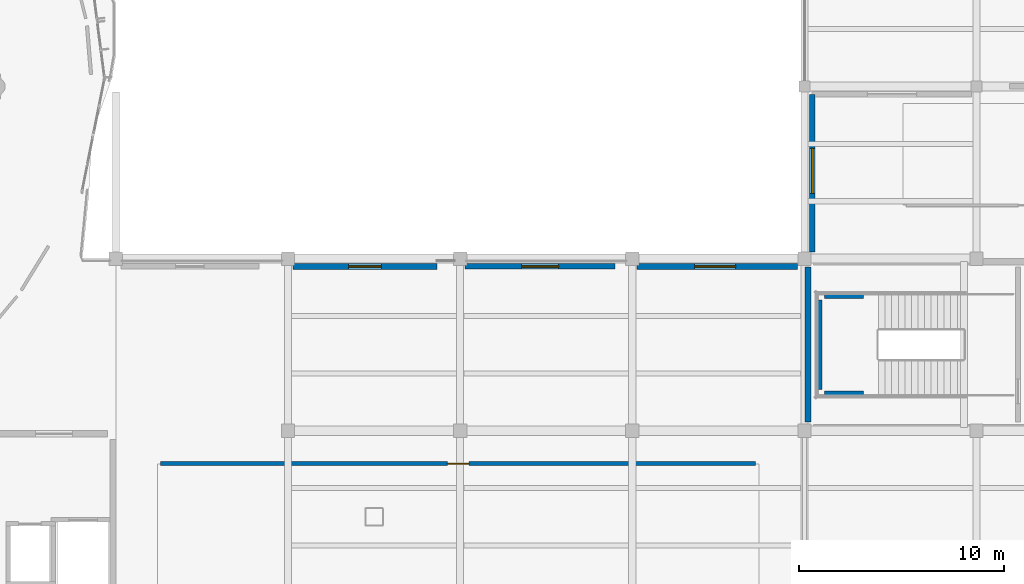
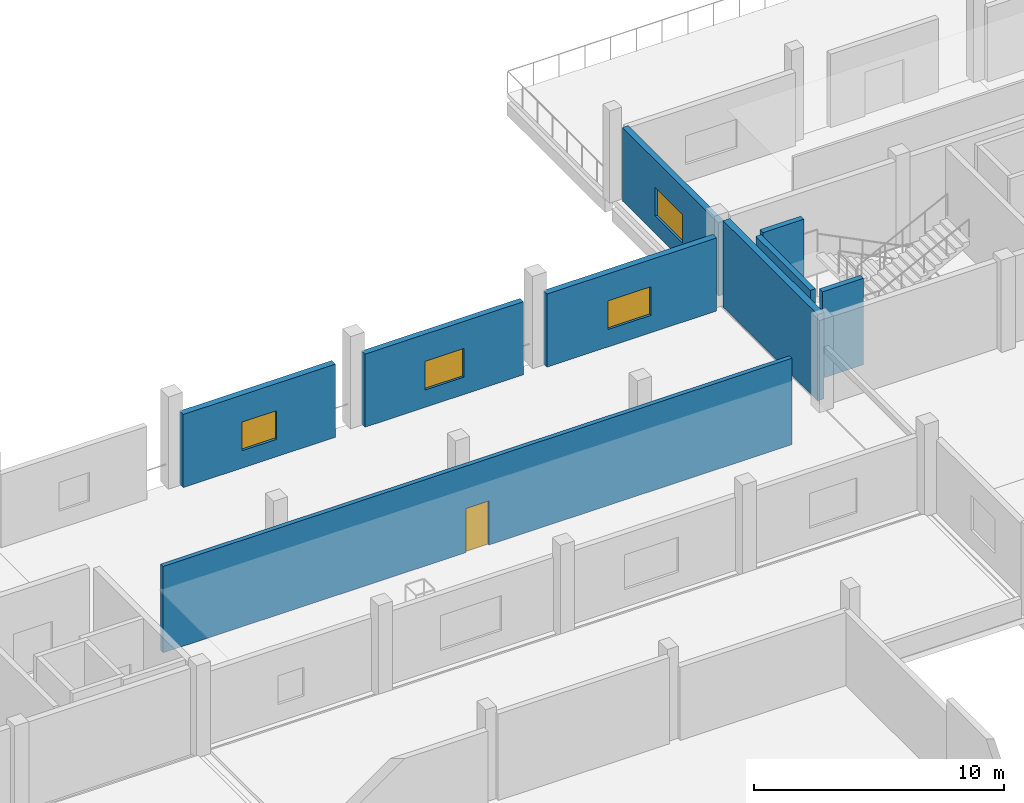
# One storey, part 29 of 46: 9 walls, 4 windows, 1 door, 5 openings.
"""IFC4 building model written with IfcOpenShell, lengths in metres."""

from ifc_helpers import new_model, si_unit, derived_unit, direction, frame, frame_2d, origin, place, context, subcontext, project, spatial, rectangle, extrude, material, layer, layer_set, type_object, element, fill, save


model = new_model("IFC4")

# Units and contexts
model_context = context("Model", 3, precision=1e-05, world=origin(), true_north=direction((0.0, 1.0)))
body_context = subcontext(model_context, "Body", "Model", "MODEL_VIEW")
ifc_project = project(units=[si_unit("LENGTHUNIT", "METRE"), si_unit("AREAUNIT", "SQUARE_METRE"), si_unit("VOLUMEUNIT", "CUBIC_METRE"), si_unit("PLANEANGLEUNIT", "RADIAN"), si_unit("MASSUNIT", "GRAM", prefix="KILO"), derived_unit("THERMALTRANSMITTANCEUNIT", [(si_unit("POWERUNIT", "WATT"), 1), (si_unit("LENGTHUNIT", "METRE"), -2), (si_unit("THERMODYNAMICTEMPERATUREUNIT", "KELVIN"), -1)])], contexts=[model_context])

# Site, building, storey
site_placement = place(None, origin())
site = spatial("IfcSite", under=ifc_project, at=site_placement, CompositionType="ELEMENT")
building_placement = place(site_placement, origin())
building = spatial("IfcBuilding", under=site, at=building_placement, Name="Elbkamm Science Centre", CompositionType="ELEMENT")
storey_placement = place(building_placement, frame((0.0, 0.0, 9.89990234375)))
storey = spatial("IfcBuildingStorey", under=building, at=storey_placement, Name="L02", CompositionType="ELEMENT", Elevation=9.89990234375)

# Walls
ifc_material_1 = material(Name="Reinforced concrete C40/50", Category="concrete")
ifc_layer_1 = layer(ifc_material_1, 0.25)
ifc_layer_set_1 = layer_set([ifc_layer_1], Name="Reinforced concrete C40/50")
wall_type_1 = type_object("IfcWallType", Name="WL-CORE-250", PredefinedType="SHEAR", material=ifc_layer_set_1)
wall_1_placement = place(storey_placement, frame((126.739990234375, 52.419921875, 0.0), z_axis=(0.0, 0.0, 1.0), x_axis=(0.0, 1.0, 0.0)))
element("IfcWall", 1, at=wall_1_placement, inside=storey, type_object=wall_type_1, Name="L02 ST-C3 Shaft Bearing Wall W", PredefinedType="SHEAR", context=body_context, shape_type="SweptSolid", body=[
    extrude(rectangle(XDim=4.360107421875, YDim=0.25, at=frame_2d((2.18017578125, 0.0))), origin(), (0.0, 0.0, 1.0), 4.22021484375),
])
for number, where, z_axis, x_axis, name in (
    (2, (126.989990234375, 52.219970703125, 0.0), (0.0, 0.0, 1.0), (1.0, 0.0, 0.0), "L02 ST-C3 Shaft Bearing Wall S"),
    (3, (126.989990234375, 56.97998046875, 0.0), (0.0, 0.0, 1.0), (1.0, 0.0, 0.0), "L02 ST-C3 Shaft Bearing Wall N"),
):
    element("IfcWall", number, at=place(storey_placement, frame(where, z_axis=z_axis, x_axis=x_axis)), inside=storey, type_object=wall_type_1, Name=name, PredefinedType="SHEAR", context=body_context, shape_type="SweptSolid", body=[
        extrude(rectangle(XDim=1.889892578125, YDim=0.25, at=frame_2d((0.94482421875, 0.0))), origin(), (0.0, 0.0, 1.0), 4.22021484375),
    ])
ifc_layer_2 = layer(ifc_material_1, 0.300048828125)
ifc_layer_set_2 = layer_set([ifc_layer_2], Name="Reinforced concrete C40/50")
wall_type_2 = type_object("IfcWallType", Name="WL-CORE-300", PredefinedType="SHEAR", material=ifc_layer_set_2)
wall_2_placement = place(storey_placement, frame((126.179931640625, 50.820068359375, 0.0), z_axis=(0.0, 0.0, 1.0), x_axis=(0.0, 1.0, 0.0)))
element("IfcWall", 4, at=wall_2_placement, inside=storey, type_object=wall_type_2, Name="L02 Core C3 Northeast Laboratories and Observatory Core Shear Wall W", PredefinedType="SHEAR", context=body_context, shape_type="SweptSolid", body=[
    extrude(rectangle(XDim=7.559814453125, YDim=0.300048828125, at=frame_2d((3.77978515625, 0.0))), origin(), (0.0, 0.0, 1.0), 4.22021484375),
])

# Wall, opening, window
ifc_material_2 = material(Name="White precast concrete C40/50", Category="concrete")
ifc_layer_3 = layer(ifc_material_2, 0.27001953125)
ifc_layer_set_3 = layer_set([ifc_layer_3], Name="White precast concrete C40/50")
wall_type_3 = type_object("IfcWallType", Name="WL-EXT-270", PredefinedType="SOLIDWALL", material=ifc_layer_set_3)
wall_3_placement = place(storey_placement, frame((109.439208984375, 58.419921875, 0.0), z_axis=(0.0, 0.0, 1.0), x_axis=(1.0, 0.0, 0.0)))
wall_3 = element("IfcWall", 5, at=wall_3_placement, inside=storey, type_object=wall_type_3, Name="L02 Exterior Wall 0229", PredefinedType="SOLIDWALL", context=body_context, shape_type="SweptSolid", body=[
    extrude(rectangle(XDim=7.321533203125, YDim=0.27001953125, at=frame_2d((3.66064453125, 0.0))), origin(), (0.0, 0.0, 1.0), 3.570068359375),
])
opening_1_placement = place(wall_3_placement, frame((2.760986328125, 0.0, 0.85009765625)))
opening_1 = element("IfcOpeningElement", 6, at=opening_1_placement, cuts=wall_3, Name="Opening W-04", PredefinedType="OPENING", context=body_context, shape_type="SweptSolid", body=[
    extrude(rectangle(XDim=1.800048828125, YDim=1.39990234375, at=frame_2d((0.89990234375, 0.699951171875))), frame((0.0, 0.14697265625, 0.0), z_axis=(0.0, -1.0, 0.0), x_axis=(1.0, 0.0, 0.0)), (0.0, 0.0, 1.0), 0.2939453125),
])
ifc_material_3 = material(Name="Thermally broken aluminium and triple solar glass", Category="aluminium")
ifc_layer_4 = layer(ifc_material_3, 0.06005859375)
ifc_layer_set_4 = layer_set([ifc_layer_4], Name="Thermally broken aluminium and triple solar glass")
window_type_1 = type_object("IfcWindowType", Name="WIN-1800x1400", PartitioningType="DOUBLE_PANEL_VERTICAL", PredefinedType="WINDOW", material=ifc_layer_set_4)
window_1_placement = place(opening_1_placement, origin())
window_1 = element("IfcWindow", 7, at=window_1_placement, inside=storey, type_object=window_type_1, Name="L02 Facade Window 0043", OverallHeight=1.39990234375, OverallWidth=1.800048828125, PartitioningType="SINGLE_PANEL", PredefinedType="WINDOW", context=body_context, shape_type="SweptSolid", body=[
    extrude(rectangle(XDim=1.800048828125, YDim=1.39990234375, at=frame_2d((0.89990234375, 0.699951171875))), frame((0.0, 0.030029296875, 0.0), z_axis=(0.0, -1.0, 0.0), x_axis=(1.0, 0.0, 0.0)), (0.0, 0.0, 1.0), 0.06005859375),
])
fill(opening_1, window_1)

wall_4_placement = place(storey_placement, frame((126.3798828125, 59.126953125, 0.0), z_axis=(0.0, 0.0, 1.0), x_axis=(0.0, 1.0, 0.0)))
wall_4 = element("IfcWall", 8, at=wall_4_placement, inside=storey, type_object=wall_type_3, Name="L02 Exterior Wall 0231", PredefinedType="SOLIDWALL", context=body_context, shape_type="SweptSolid", body=[
    extrude(rectangle(XDim=7.693115234375, YDim=0.27001953125, at=frame_2d((3.8466796875, 0.0))), origin(), (0.0, 0.0, 1.0), 3.580078125),
])
opening_2_placement = place(wall_4_placement, frame((2.85791015625, 0.0, 0.85009765625)))
opening_2 = element("IfcOpeningElement", 9, at=opening_2_placement, cuts=wall_4, Name="Opening W-06", PredefinedType="OPENING", context=body_context, shape_type="SweptSolid", body=[
    extrude(rectangle(XDim=2.199951171875, YDim=1.39990234375, at=frame_2d((1.10009765625, 0.699951171875))), frame((0.0, 0.14697265625, 0.0), z_axis=(0.0, -1.0, 0.0), x_axis=(1.0, 0.0, 0.0)), (0.0, 0.0, 1.0), 0.2939453125),
])
ifc_layer_5 = layer(ifc_material_3, 0.06005859375)
ifc_layer_set_5 = layer_set([ifc_layer_5], Name="Thermally broken aluminium and triple solar glass")
window_type_2 = type_object("IfcWindowType", Name="WIN-2200x1400", PartitioningType="DOUBLE_PANEL_VERTICAL", PredefinedType="WINDOW", material=ifc_layer_set_5)
window_2_placement = place(opening_2_placement, origin())
window_2 = element("IfcWindow", 10, at=window_2_placement, inside=storey, type_object=window_type_2, Name="L02 Facade Window 0045", OverallHeight=1.39990234375, OverallWidth=2.199951171875, PartitioningType="SINGLE_PANEL", PredefinedType="WINDOW", context=body_context, shape_type="SweptSolid", body=[
    extrude(rectangle(XDim=2.199951171875, YDim=1.39990234375, at=frame_2d((1.10009765625, 0.699951171875))), frame((0.0, 0.030029296875, 0.0), z_axis=(0.0, -1.0, 0.0), x_axis=(1.0, 0.0, 0.0)), (0.0, 0.0, 1.0), 0.06005859375),
])
fill(opening_2, window_2)

ifc_layer_6 = layer(ifc_material_2, 0.2900390625)
ifc_layer_set_6 = layer_set([ifc_layer_6], Name="White precast concrete C40/50")
wall_type_4 = type_object("IfcWallType", Name="WL-EXT-290", PredefinedType="SOLIDWALL", material=ifc_layer_set_6)
wall_5_placement = place(storey_placement, frame((101.0390625, 58.419921875, 0.0), z_axis=(0.0, 0.0, 1.0), x_axis=(1.0, 0.0, 0.0)))
wall_5 = element("IfcWall", 11, at=wall_5_placement, inside=storey, type_object=wall_type_4, Name="L02 Exterior Wall 0228", PredefinedType="SOLIDWALL", context=body_context, shape_type="SweptSolid", body=[
    extrude(rectangle(XDim=7.032470703125, YDim=0.2900390625, at=frame_2d((3.51611328125, 0.0))), origin(), (0.0, 0.0, 1.0), 3.570068359375),
])
opening_3_placement = place(wall_5_placement, frame((2.71630859375, 0.0, 0.85009765625)))
opening_3 = element("IfcOpeningElement", 12, at=opening_3_placement, cuts=wall_5, Name="Opening W-03", PredefinedType="OPENING", context=body_context, shape_type="SweptSolid", body=[
    extrude(rectangle(XDim=1.60009765625, YDim=1.39990234375, at=frame_2d((0.800048828125, 0.699951171875))), frame((0.0, 0.156982421875, 0.0), z_axis=(0.0, -1.0, 0.0), x_axis=(1.0, 0.0, 0.0)), (0.0, 0.0, 1.0), 0.31396484375),
])
ifc_layer_7 = layer(ifc_material_3, 0.06005859375)
ifc_layer_set_7 = layer_set([ifc_layer_7], Name="Thermally broken aluminium and triple solar glass")
window_type_3 = type_object("IfcWindowType", Name="WIN-1600x1400", PartitioningType="SINGLE_PANEL", PredefinedType="WINDOW", material=ifc_layer_set_7)
window_3_placement = place(opening_3_placement, origin())
window_3 = element("IfcWindow", 13, at=window_3_placement, inside=storey, type_object=window_type_3, Name="L02 Facade Window 0042", OverallHeight=1.39990234375, OverallWidth=1.60009765625, PartitioningType="SINGLE_PANEL", PredefinedType="WINDOW", context=body_context, shape_type="SweptSolid", body=[
    extrude(rectangle(XDim=1.60009765625, YDim=1.39990234375, at=frame_2d((0.800048828125, 0.699951171875))), frame((0.0, 0.030029296875, 0.0), z_axis=(0.0, -1.0, 0.0), x_axis=(1.0, 0.0, 0.0)), (0.0, 0.0, 1.0), 0.06005859375),
])
fill(opening_3, window_3)

wall_6_placement = place(storey_placement, frame((117.839111328125, 58.419921875, 0.0), z_axis=(0.0, 0.0, 1.0), x_axis=(1.0, 0.0, 0.0)))
wall_6 = element("IfcWall", 14, at=wall_6_placement, inside=storey, type_object=wall_type_4, Name="L02 Exterior Wall 0230", PredefinedType="SOLIDWALL", context=body_context, shape_type="SweptSolid", body=[
    extrude(rectangle(XDim=7.833984375, YDim=0.2900390625, at=frame_2d((3.9169921875, 0.0))), origin(), (0.0, 0.0, 1.0), 3.570068359375),
])
opening_4_placement = place(wall_6_placement, frame((2.805419921875, 0.0, 0.85009765625)))
opening_4 = element("IfcOpeningElement", 15, at=opening_4_placement, cuts=wall_6, Name="Opening W-05", PredefinedType="OPENING", context=body_context, shape_type="SweptSolid", body=[
    extrude(rectangle(XDim=2.0, YDim=1.39990234375, at=frame_2d((1.0, 0.699951171875))), frame((0.0, 0.156982421875, 0.0), z_axis=(0.0, -1.0, 0.0), x_axis=(1.0, 0.0, 0.0)), (0.0, 0.0, 1.0), 0.31396484375),
])
ifc_layer_8 = layer(ifc_material_3, 0.06005859375)
ifc_layer_set_8 = layer_set([ifc_layer_8], Name="Thermally broken aluminium and triple solar glass")
window_type_4 = type_object("IfcWindowType", Name="WIN-2000x1400", PartitioningType="DOUBLE_PANEL_VERTICAL", PredefinedType="WINDOW", material=ifc_layer_set_8)
window_4_placement = place(opening_4_placement, origin())
window_4 = element("IfcWindow", 16, at=window_4_placement, inside=storey, type_object=window_type_4, Name="L02 Facade Window 0044", OverallHeight=1.39990234375, OverallWidth=2.0, PartitioningType="SINGLE_PANEL", PredefinedType="WINDOW", context=body_context, shape_type="SweptSolid", body=[
    extrude(rectangle(XDim=2.0, YDim=1.39990234375, at=frame_2d((1.0, 0.699951171875))), frame((0.0, 0.030029296875, 0.0), z_axis=(0.0, -1.0, 0.0), x_axis=(1.0, 0.0, 0.0)), (0.0, 0.0, 1.0), 0.06005859375),
])
fill(opening_4, window_4)

# Wall, opening, door
ifc_material_4 = material(Name="Fire-rated acoustic blockwork", Category="masonry")
ifc_layer_9 = layer(ifc_material_4, 0.199951171875)
ifc_layer_set_9 = layer_set([ifc_layer_9], Name="Fire-rated acoustic blockwork")
wall_type_5 = type_object("IfcWallType", Name="WL-FIRE-200", PredefinedType="PARTITIONING", material=ifc_layer_set_9)
wall_7_placement = place(storey_placement, frame((94.580078125, 48.800048828125, 0.0), z_axis=(0.0, 0.0, 1.0), x_axis=(1.0, 0.0, 0.0)))
wall_7 = element("IfcWall", 17, at=wall_7_placement, inside=storey, type_object=wall_type_5, Name="L02 Optics and Photonics Laboratory Partition 0180", PredefinedType="PARTITIONING", context=body_context, shape_type="SweptSolid", body=[
    extrude(rectangle(XDim=29.0400390625, YDim=0.199951171875, at=frame_2d((14.52001953125, 0.0))), origin(), (0.0, 0.0, 1.0), 4.22021484375),
])
opening_5_placement = place(wall_7_placement, frame((13.9951171875, 0.0, 0.0)))
opening_5 = element("IfcOpeningElement", 18, at=opening_5_placement, cuts=wall_7, Name="Opening DF-02", PredefinedType="OPENING", context=body_context, shape_type="SweptSolid", body=[
    extrude(rectangle(XDim=1.050048828125, YDim=2.14990234375, at=frame_2d((0.52490234375, 1.074951171875))), frame((0.0, 0.11181640625, 0.0), z_axis=(0.0, -1.0, 0.0), x_axis=(1.0, 0.0, 0.0)), (0.0, 0.0, 1.0), 0.223876953125),
])
ifc_material_5 = material(Name="Fire-rated timber acoustic door", Category="wood")
ifc_layer_10 = layer(ifc_material_5, 0.050048828125)
ifc_layer_set_10 = layer_set([ifc_layer_10], Name="Fire-rated timber acoustic door")
door_type = type_object("IfcDoorType", Name="DR-FIRE-1050x2150", OperationType="NOTDEFINED", PredefinedType="DOOR", material=ifc_layer_set_10)
door_placement = place(opening_5_placement, origin())
door = element("IfcDoor", 19, at=door_placement, inside=storey, type_object=door_type, Name="L02 Optics and Photonics Laboratory Door", OperationType="SINGLE_SWING_RIGHT", OverallHeight=2.14990234375, OverallWidth=1.050048828125, PredefinedType="DOOR", context=body_context, shape_type="SweptSolid", body=[
    extrude(rectangle(XDim=1.050048828125, YDim=2.14990234375, at=frame_2d((0.52490234375, 1.074951171875))), frame((0.0, 0.02490234375, 0.0), z_axis=(0.0, -1.0, 0.0), x_axis=(1.0, 0.0, 0.0)), (0.0, 0.0, 1.0), 0.050048828125),
])
fill(opening_5, door)

save(model, "model.ifc")
